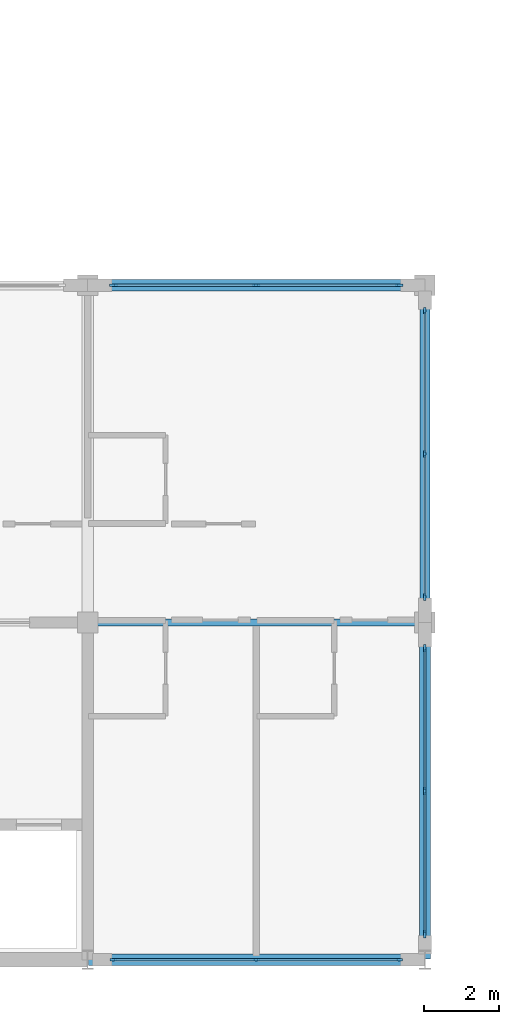
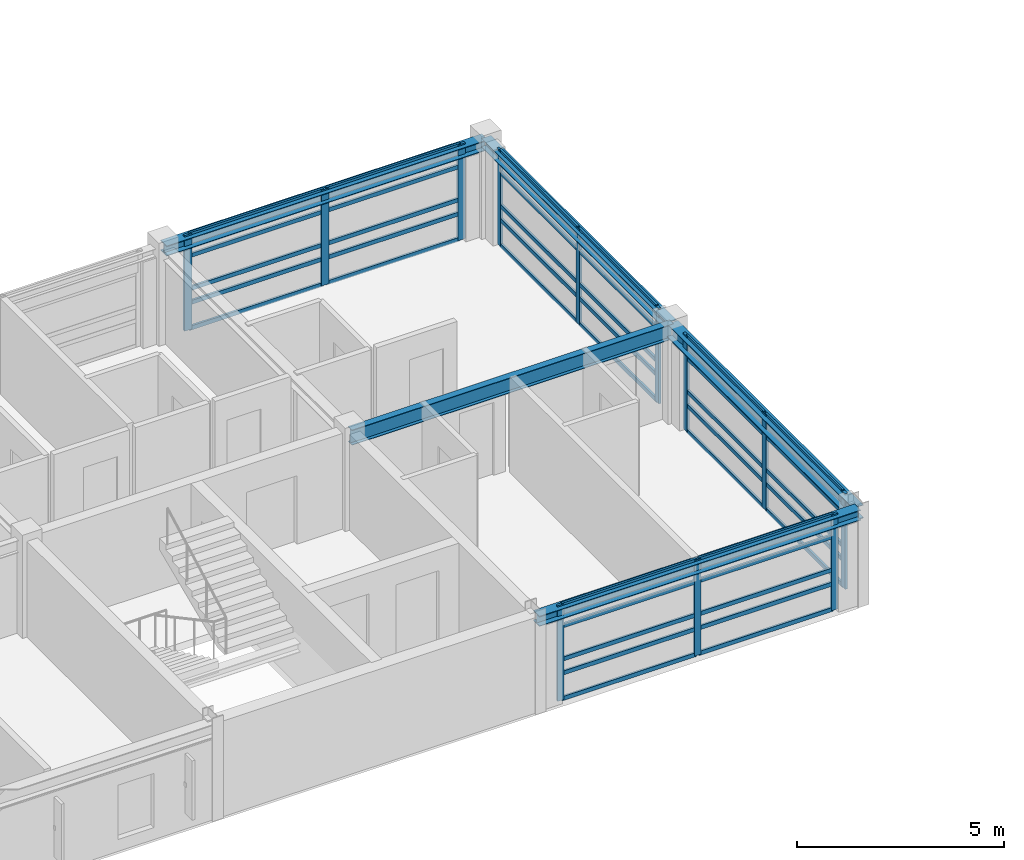
# One storey, part 9 of 30: 52 members, 5 beams, 4 elements without a shape of their own.
"""IFC4 building model written with IfcOpenShell, lengths in metres."""

import ifcopenshell
import ifcopenshell.guid

model = None  # the IFC model being written
_history = None  # IfcOwnerHistory: only IFC2X3 demands one
_inside = {}  # id of a spatial element -> (the spatial element, [elements in it])
_under = {}  # id of a project, library or spatial element -> (it, [spatial elements below it])
_declared = {}  # id of a project -> (the project, [libraries it declares])
_typed = {}  # id of a type object -> (the type object, [elements of that type])
_made_of = {}  # id of a material, layer set ... -> (it, [elements and type objects made of it])


def new_model(schema):
    """Start an empty IFC model of exactly this schema.

    Asked for "IFC4X3", IfcOpenShell would pick the latest addendum, in which some entities
    have other attributes; the version numbers below select the first issue.
    IFC2X3 requires an IfcOwnerHistory on every rooted entity: one is made here for all.
    """
    global model, _history
    if schema == "IFC4X3":
        model = ifcopenshell.file(schema_version=(4, 3, 0, 0))
    else:
        model = ifcopenshell.file(schema=schema)
    _inside.clear()
    _under.clear()
    _declared.clear()
    _typed.clear()
    _made_of.clear()
    _history = None
    if model.schema == "IFC2X3":
        org = make("IfcOrganization", Name="unknown")
        user = make(
            "IfcPersonAndOrganization",
            ThePerson=make("IfcPerson", FamilyName="unknown"),
            TheOrganization=org,
        )
        app = make(
            "IfcApplication",
            ApplicationDeveloper=org,
            Version="unknown",
            ApplicationFullName="unknown",
            ApplicationIdentifier="unknown",
        )
        _history = make(
            "IfcOwnerHistory",
            OwningUser=user,
            OwningApplication=app,
            ChangeAction="ADDED",
            CreationDate=0,
        )
    return model


def make(cls, **values):
    """One entity of the class cls with the attributes given. An attribute that is None is left unset."""
    return model.create_entity(
        cls, **{name: value for name, value in values.items() if value is not None}
    )


def rooted(cls, **values):
    """An entity with a GlobalId (a new one), such as an element, a storey or a relation."""
    return make(cls, GlobalId=ifcopenshell.guid.new(), OwnerHistory=_history, **values)


def si_unit(unit_type, name, prefix=None):
    """IfcSIUnit, for example si_unit("LENGTHUNIT", "METRE", prefix="MILLI")."""
    return make("IfcSIUnit", UnitType=unit_type, Prefix=prefix, Name=name)


def assignment(units):
    """IfcUnitAssignment: the units of a project."""
    return None if units is None else make("IfcUnitAssignment", Units=units)


def point(xyz):
    """IfcCartesianPoint."""
    return None if xyz is None else make("IfcCartesianPoint", Coordinates=xyz)


def direction(xyz):
    """IfcDirection."""
    return None if xyz is None else make("IfcDirection", DirectionRatios=xyz)


def frame(location, z_axis=None, x_axis=None):
    """IfcAxis2Placement3D, a coordinate frame: its origin and axes. An axis left out is left unset."""
    return make(
        "IfcAxis2Placement3D",
        Location=point(location),
        Axis=direction(z_axis),
        RefDirection=direction(x_axis),
    )


def frame_2d(location, x_axis=None):
    """IfcAxis2Placement2D, a coordinate frame in the plane: its origin and x axis."""
    return make(
        "IfcAxis2Placement2D", Location=point(location), RefDirection=direction(x_axis)
    )


def origin():
    """The frame at (0, 0, 0) with its axes left unset."""
    return frame((0.0, 0.0, 0.0))


def origin_2d():
    """The frame at (0, 0) in the plane with its x axis left unset."""
    return frame_2d((0.0, 0.0))


def place(relative_to, where):
    """IfcLocalPlacement: puts the frame where relative to a parent placement (None: the world)."""
    return make(
        "IfcLocalPlacement", PlacementRelTo=relative_to, RelativePlacement=where
    )


def context(
    kind, dimensions, precision=None, world=None, true_north=None, identifier=None
):
    """IfcGeometricRepresentationContext, for example the 3D "Model" context."""
    return make(
        "IfcGeometricRepresentationContext",
        ContextIdentifier=identifier,
        ContextType=kind,
        CoordinateSpaceDimension=dimensions,
        Precision=precision,
        WorldCoordinateSystem=world,
        TrueNorth=true_north,
    )


def subcontext(parent, identifier, kind, view, scale=None):
    """IfcGeometricRepresentationSubContext, for example "Body" below "Model"."""
    return make(
        "IfcGeometricRepresentationSubContext",
        ContextIdentifier=identifier,
        ContextType=kind,
        ParentContext=parent,
        TargetScale=scale,
        TargetView=view,
    )


def project(units=None, contexts=None):
    """IfcProject with its units and contexts."""
    return rooted(
        "IfcProject",
        Name="project",
        RepresentationContexts=contexts,
        UnitsInContext=assignment(units),
    )


def spatial(cls, under=None, at=None, **own):
    """A site, building, storey or space (cls), placed at a placement, below another one or the project."""
    s = rooted(cls, ObjectPlacement=at, **own)
    if under is not None:
        _under.setdefault(under.id(), (under, []))[1].append(s)
    return s


def profile(cls, at=None, kind="AREA", **sizes):
    """A parametric profile (cls). Its sizes go by their IFC names, for example OverallWidth=200.0."""
    return make(cls, ProfileType=kind, Position=at, **sizes)


def rectangle(**sizes):
    """IfcRectangleProfileDef."""
    return profile("IfcRectangleProfileDef", **sizes)


def i_section(**sizes):
    """IfcIShapeProfileDef."""
    return profile("IfcIShapeProfileDef", **sizes)


def extrude(swept, where, along, depth):
    """IfcExtrudedAreaSolid: the profile swept, set in the frame where, extruded along a direction by depth."""
    return make(
        "IfcExtrudedAreaSolid",
        SweptArea=swept,
        Position=where,
        ExtrudedDirection=direction(along),
        Depth=depth,
    )


def shape(context_of_items, identifier, shape_type, items):
    """IfcShapeRepresentation: the items that make up one representation, for example the "Body"."""
    return make(
        "IfcShapeRepresentation",
        ContextOfItems=context_of_items,
        RepresentationIdentifier=identifier,
        RepresentationType=shape_type,
        Items=items,
    )


def material(Name=None, Category=None):
    """IfcMaterial."""
    return make("IfcMaterial", Name=Name, Category=Category)


def material_profile(
    of_material, cross_section, Name=None, Category=None, Priority=None
):
    """IfcMaterialProfile: a cross section and its material."""
    return make(
        "IfcMaterialProfile",
        Name=Name,
        Material=of_material,
        Profile=cross_section,
        Priority=Priority,
        Category=Category,
    )


def profile_set(profiles, Name=None, composite=None):
    """IfcMaterialProfileSet."""
    return make(
        "IfcMaterialProfileSet",
        Name=Name,
        MaterialProfiles=profiles,
        CompositeProfile=composite,
    )


def made_of(thing, what):
    """Note that an element or type object is made of a material, layer set ...; save() writes the relation."""
    if what is not None:
        _made_of.setdefault(what.id(), (what, []))[1].append(thing)
    return thing


def type_object(cls, material=None, **own):
    """A type object (cls), such as IfcWallType, which elements share."""
    return made_of(rooted(cls, **own), material)


def element(
    cls,
    number,
    at=None,
    inside=None,
    cuts=None,
    type_object=None,
    material=None,
    context=None,
    identifier="Body",
    shape_type=None,
    held_by="IfcProductDefinitionShape",
    body=None,
    shapes=None,
    **own,
):
    """One element of the class cls, such as IfcWall. Its Tag is "e" and its number.

    at: its placement. inside: the storey or other place that contains it. cuts: it is an
    opening in that element (IfcRelVoidsElement). A single representation is given by context,
    identifier, shape_type and body (its items); several are given by shapes. held_by: the class
    of the entity that holds the representations. save() writes the other relations.
    """
    e = rooted(cls, Tag="e%d" % number, ObjectPlacement=at, **own)
    if body is not None:
        shapes = [shape(context, identifier, shape_type, body)]
    if shapes is not None:
        e.Representation = make(held_by, Representations=shapes)
    if inside is not None:
        _inside.setdefault(inside.id(), (inside, []))[1].append(e)
    if cuts is not None:
        rooted(
            "IfcRelVoidsElement", RelatingBuildingElement=cuts, RelatedOpeningElement=e
        )
    if type_object is not None:
        _typed.setdefault(type_object.id(), (type_object, []))[1].append(e)
    return made_of(e, material)


def aggregate(whole, parts):
    """IfcRelAggregates: a whole, such as a stair, and the parts it consists of."""
    return rooted("IfcRelAggregates", RelatingObject=whole, RelatedObjects=parts)


def save(model, path):
    """Write the relations noted so far, then the file.

    IfcRelAggregates (storeys below a building ...), IfcRelContainedInSpatialStructure (elements
    in a storey), IfcRelDefinesByType, IfcRelAssociatesMaterial and IfcRelDeclares: one each for
    every whole, place, type object, material and project.
    """
    for whole, parts in _under.values():
        aggregate(whole, parts)
    for where, things in _inside.values():
        rooted(
            "IfcRelContainedInSpatialStructure",
            RelatedElements=things,
            RelatingStructure=where,
        )
    for kind, things in _typed.values():
        rooted("IfcRelDefinesByType", RelatedObjects=things, RelatingType=kind)
    for what, things in _made_of.values():
        rooted("IfcRelAssociatesMaterial", RelatedObjects=things, RelatingMaterial=what)
    for by, libraries in _declared.values():
        rooted("IfcRelDeclares", RelatingContext=by, RelatedDefinitions=libraries)
    model.write(path)


model = new_model("IFC4")

# Units and contexts
model_context = context("Model", 3, precision=1e-05, world=origin(), true_north=direction((0.0, 1.0)))
body_context = subcontext(model_context, "Body", "Model", "MODEL_VIEW")
ifc_project = project(units=[si_unit("LENGTHUNIT", "METRE"), si_unit("AREAUNIT", "SQUARE_METRE"), si_unit("VOLUMEUNIT", "CUBIC_METRE"), si_unit("PLANEANGLEUNIT", "RADIAN"), si_unit("MASSUNIT", "GRAM", prefix="KILO")], contexts=[model_context])

# Site, building, storey
site_placement = place(None, origin())
site = spatial("IfcSite", under=ifc_project, at=site_placement, CompositionType="ELEMENT")
building_placement = place(site_placement, origin())
building = spatial("IfcBuilding", under=site, at=building_placement, Name="Palais des Congres Ocreval", CompositionType="ELEMENT")
storey_placement = place(building_placement, frame((0.0, 0.0, 14.56005859375)))
storey = spatial("IfcBuildingStorey", under=building, at=storey_placement, Name="L04", CompositionType="ELEMENT", Elevation=14.56005859375)

# Beam
ifc_material_1 = material(Name="Steel S355", Category="steel")
ifc_material_profile_1 = material_profile(ifc_material_1, i_section(OverallWidth=0.18994140625, OverallDepth=0.449951171875, WebThickness=0.009521484375, FlangeThickness=0.0146484375, at=origin_2d()), Name="IPE 450")
ifc_profile_set_1 = profile_set([ifc_material_profile_1], Name="Steel S355")
beam_type_1 = type_object("IfcBeamType", Name="Composite Beam IPE 450 Steel S355", PredefinedType="BEAM", material=ifc_profile_set_1)
beam_1_placement = place(storey_placement, frame((63.02001953125, 9.0, 2.554931640625), z_axis=(1.0, 0.0, 0.0), x_axis=(0.0, 1.0, 0.0)))
element("IfcBeam", 1, at=beam_1_placement, inside=storey, type_object=beam_type_1, Name="Beam B03 L04", PredefinedType="BEAM", context=body_context, shape_type="SweptSolid", body=[
    extrude(i_section(OverallWidth=0.18994140625, OverallDepth=0.449951171875, WebThickness=0.009521484375, FlangeThickness=0.0146484375, at=origin_2d()), origin(), (0.0, 0.0, 1.0), 8.9599609375),
])

# Curtain wall, members
ifc_material_2 = material(Name="Anodized bronze aluminium and low-E glass", Category="glass")
curtain_wall_type = type_object("IfcCurtainWallType", Name="Unitised Curtain Wall 7900x2820", PredefinedType="USERDEFINED", material=ifc_material_2)
curtain_wall_1_placement = place(storey_placement, origin())
curtain_wall_1 = element("IfcCurtainWall", 2, at=curtain_wall_1_placement, inside=storey, type_object=curtain_wall_type, Name="Unitised Curtain Wall CW04 L04", ObjectType="UNITISED CURTAIN WALL", PredefinedType="USERDEFINED")
ifc_material_3 = material(Name="Anodized bronze aluminium", Category="aluminium")
ifc_material_profile_2 = material_profile(ifc_material_3, rectangle(XDim=0.06494140625, YDim=0.179931640625, at=origin_2d()), Name="ALU 65x180")
ifc_profile_set_2 = profile_set([ifc_material_profile_2], Name="Anodized bronze aluminium")
member_type_1 = type_object("IfcMemberType", Name="Curtain Wall Mullion ALU 65x180", PredefinedType="MULLION", material=ifc_profile_set_2)
member_1_placement = place(storey_placement, frame((72.0, 17.3173828125, 0.0), z_axis=(0.0, 0.0, 1.0), x_axis=(1.0, 0.0, 0.0)))
member_1 = element("IfcMember", 3, at=member_1_placement, type_object=member_type_1, Name="Curtain Wall Mullion ML03", PredefinedType="MULLION", context=body_context, shape_type="SweptSolid", body=[
    extrude(rectangle(XDim=0.06494140625, YDim=0.179931640625, at=origin_2d()), origin(), (0.0, 0.0, 1.0), 2.81982421875),
])
member_2_placement = place(storey_placement, frame((72.0, 13.5, 0.0), z_axis=(0.0, 0.0, 1.0), x_axis=(1.0, 0.0, 0.0)))
member_2 = element("IfcMember", 4, at=member_2_placement, type_object=member_type_1, Name="Curtain Wall Mullion ML03", PredefinedType="MULLION", context=body_context, shape_type="SweptSolid", body=[
    extrude(rectangle(XDim=0.06494140625, YDim=0.179931640625, at=origin_2d()), origin(), (0.0, 0.0, 1.0), 2.81982421875),
])
member_3_placement = place(storey_placement, frame((72.0, 9.6826171875, 0.0), z_axis=(0.0, 0.0, 1.0), x_axis=(1.0, 0.0, 0.0)))
member_3 = element("IfcMember", 5, at=member_3_placement, type_object=member_type_1, Name="Curtain Wall Mullion ML03", PredefinedType="MULLION", context=body_context, shape_type="SweptSolid", body=[
    extrude(rectangle(XDim=0.06494140625, YDim=0.179931640625, at=origin_2d()), origin(), (0.0, 0.0, 1.0), 2.81982421875),
])

curtain_wall_2_placement = place(storey_placement, origin())
curtain_wall_2 = element("IfcCurtainWall", 6, at=curtain_wall_2_placement, inside=storey, type_object=curtain_wall_type, Name="Unitised Curtain Wall CW04 L04", ObjectType="UNITISED CURTAIN WALL", PredefinedType="USERDEFINED")
member_4_placement = place(storey_placement, frame((71.3173828125, 0.0, 0.0), z_axis=(0.0, 0.0, 1.0), x_axis=(0.0, -1.0, 0.0)))
member_4 = element("IfcMember", 7, at=member_4_placement, type_object=member_type_1, Name="Curtain Wall Mullion ML03", PredefinedType="MULLION", context=body_context, shape_type="SweptSolid", body=[
    extrude(rectangle(XDim=0.06494140625, YDim=0.179931640625, at=origin_2d()), origin(), (0.0, 0.0, 1.0), 2.81982421875),
])
member_5_placement = place(storey_placement, frame((67.5, 0.0, 0.0), z_axis=(0.0, 0.0, 1.0), x_axis=(0.0, -1.0, 0.0)))
member_5 = element("IfcMember", 8, at=member_5_placement, type_object=member_type_1, Name="Curtain Wall Mullion ML03", PredefinedType="MULLION", context=body_context, shape_type="SweptSolid", body=[
    extrude(rectangle(XDim=0.06494140625, YDim=0.179931640625, at=origin_2d()), origin(), (0.0, 0.0, 1.0), 2.81982421875),
])
member_6_placement = place(storey_placement, frame((63.6826171875, 0.0, 0.0), z_axis=(0.0, 0.0, 1.0), x_axis=(0.0, -1.0, 0.0)))
member_6 = element("IfcMember", 9, at=member_6_placement, type_object=member_type_1, Name="Curtain Wall Mullion ML03", PredefinedType="MULLION", context=body_context, shape_type="SweptSolid", body=[
    extrude(rectangle(XDim=0.06494140625, YDim=0.179931640625, at=origin_2d()), origin(), (0.0, 0.0, 1.0), 2.81982421875),
])

curtain_wall_3_placement = place(storey_placement, origin())
curtain_wall_3 = element("IfcCurtainWall", 10, at=curtain_wall_3_placement, inside=storey, type_object=curtain_wall_type, Name="Unitised Curtain Wall CW04 L04", ObjectType="UNITISED CURTAIN WALL", PredefinedType="USERDEFINED")
ifc_material_profile_3 = material_profile(ifc_material_3, rectangle(XDim=0.070068359375, YDim=0.2099609375, at=origin_2d()), Name="ALU 70x210")
ifc_profile_set_3 = profile_set([ifc_material_profile_3], Name="Anodized bronze aluminium")
member_type_2 = type_object("IfcMemberType", Name="Curtain Wall Mullion ALU 70x210", PredefinedType="MULLION", material=ifc_profile_set_3)
member_7_placement = place(storey_placement, frame((72.0, 8.31494140625, 0.0), z_axis=(0.0, 0.0, 1.0), x_axis=(1.0, 0.0, 0.0)))
member_7 = element("IfcMember", 11, at=member_7_placement, type_object=member_type_2, Name="Curtain Wall Mullion ML02", PredefinedType="MULLION", context=body_context, shape_type="SweptSolid", body=[
    extrude(rectangle(XDim=0.070068359375, YDim=0.2099609375, at=origin_2d()), origin(), (0.0, 0.0, 1.0), 2.81982421875),
])
member_8_placement = place(storey_placement, frame((72.0, 4.5, 0.0), z_axis=(0.0, 0.0, 1.0), x_axis=(1.0, 0.0, 0.0)))
member_8 = element("IfcMember", 12, at=member_8_placement, type_object=member_type_2, Name="Curtain Wall Mullion ML02", PredefinedType="MULLION", context=body_context, shape_type="SweptSolid", body=[
    extrude(rectangle(XDim=0.070068359375, YDim=0.2099609375, at=origin_2d()), origin(), (0.0, 0.0, 1.0), 2.81982421875),
])
member_9_placement = place(storey_placement, frame((72.0, 0.68505859375, 0.0), z_axis=(0.0, 0.0, 1.0), x_axis=(1.0, 0.0, 0.0)))
member_9 = element("IfcMember", 13, at=member_9_placement, type_object=member_type_2, Name="Curtain Wall Mullion ML02", PredefinedType="MULLION", context=body_context, shape_type="SweptSolid", body=[
    extrude(rectangle(XDim=0.070068359375, YDim=0.2099609375, at=origin_2d()), origin(), (0.0, 0.0, 1.0), 2.81982421875),
])

curtain_wall_4_placement = place(storey_placement, origin())
curtain_wall_4 = element("IfcCurtainWall", 14, at=curtain_wall_4_placement, inside=storey, type_object=curtain_wall_type, Name="Unitised Curtain Wall CW04 L04", ObjectType="UNITISED CURTAIN WALL", PredefinedType="USERDEFINED")
member_10_placement = place(storey_placement, frame((63.68505859375, 18.0, 0.0), z_axis=(0.0, 0.0, 1.0), x_axis=(0.0, 1.0, 0.0)))
member_10 = element("IfcMember", 15, at=member_10_placement, type_object=member_type_2, Name="Curtain Wall Mullion ML02", PredefinedType="MULLION", context=body_context, shape_type="SweptSolid", body=[
    extrude(rectangle(XDim=0.070068359375, YDim=0.2099609375, at=origin_2d()), origin(), (0.0, 0.0, 1.0), 2.81982421875),
])
member_11_placement = place(storey_placement, frame((67.5, 18.0, 0.0), z_axis=(0.0, 0.0, 1.0), x_axis=(0.0, 1.0, 0.0)))
member_11 = element("IfcMember", 16, at=member_11_placement, type_object=member_type_2, Name="Curtain Wall Mullion ML02", PredefinedType="MULLION", context=body_context, shape_type="SweptSolid", body=[
    extrude(rectangle(XDim=0.070068359375, YDim=0.2099609375, at=origin_2d()), origin(), (0.0, 0.0, 1.0), 2.81982421875),
])
member_12_placement = place(storey_placement, frame((71.31494140625, 18.0, 0.0), z_axis=(0.0, 0.0, 1.0), x_axis=(0.0, 1.0, 0.0)))
member_12 = element("IfcMember", 17, at=member_12_placement, type_object=member_type_2, Name="Curtain Wall Mullion ML02", PredefinedType="MULLION", context=body_context, shape_type="SweptSolid", body=[
    extrude(rectangle(XDim=0.070068359375, YDim=0.2099609375, at=origin_2d()), origin(), (0.0, 0.0, 1.0), 2.81982421875),
])

# Member
ifc_material_profile_4 = material_profile(ifc_material_3, rectangle(XDim=0.06005859375, YDim=0.1201171875, at=origin_2d()), Name="ALU 60x120")
ifc_profile_set_4 = profile_set([ifc_material_profile_4], Name="Anodized bronze aluminium")
member_type_3 = type_object("IfcMemberType", Name="Curtain Wall Transom ALU 60x120", PredefinedType="USERDEFINED", material=ifc_profile_set_4)
member_13_placement = place(storey_placement, frame((72.0, 17.284912109375, 0.030029296875), z_axis=(0.0, -1.0, 0.0), x_axis=(1.0, 0.0, 0.0)))
member_13 = element("IfcMember", 18, at=member_13_placement, type_object=member_type_3, Name="Curtain Wall Transom TR02", ObjectType="TRANSOM", PredefinedType="USERDEFINED", context=body_context, shape_type="SweptSolid", body=[
    extrude(rectangle(XDim=0.06005859375, YDim=0.1201171875, at=origin_2d()), origin(), (0.0, 0.0, 1.0), 3.75244140625),
])

member_14_placement = place(storey_placement, frame((72.0, 17.284912109375, 0.780029296875), z_axis=(0.0, -1.0, 0.0), x_axis=(1.0, 0.0, 0.0)))
member_14 = element("IfcMember", 19, at=member_14_placement, type_object=member_type_3, Name="Curtain Wall Transom TR02", ObjectType="TRANSOM", PredefinedType="USERDEFINED", context=body_context, shape_type="SweptSolid", body=[
    extrude(rectangle(XDim=0.06005859375, YDim=0.1201171875, at=origin_2d()), origin(), (0.0, 0.0, 1.0), 3.75244140625),
])

member_15_placement = place(storey_placement, frame((72.0, 17.284912109375, 1.193359375), z_axis=(0.0, -1.0, 0.0), x_axis=(1.0, 0.0, 0.0)))
member_15 = element("IfcMember", 20, at=member_15_placement, type_object=member_type_3, Name="Curtain Wall Transom TR02", ObjectType="TRANSOM", PredefinedType="USERDEFINED", context=body_context, shape_type="SweptSolid", body=[
    extrude(rectangle(XDim=0.06005859375, YDim=0.1201171875, at=origin_2d()), origin(), (0.0, 0.0, 1.0), 3.75244140625),
])

member_16_placement = place(storey_placement, frame((72.0, 17.284912109375, 2.169921875), z_axis=(0.0, -1.0, 0.0), x_axis=(1.0, 0.0, 0.0)))
member_16 = element("IfcMember", 21, at=member_16_placement, type_object=member_type_3, Name="Curtain Wall Transom TR02", ObjectType="TRANSOM", PredefinedType="USERDEFINED", context=body_context, shape_type="SweptSolid", body=[
    extrude(rectangle(XDim=0.06005859375, YDim=0.1201171875, at=origin_2d()), origin(), (0.0, 0.0, 1.0), 3.75244140625),
])

member_17_placement = place(storey_placement, frame((72.0, 17.284912109375, 2.7900390625), z_axis=(0.0, -1.0, 0.0), x_axis=(1.0, 0.0, 0.0)))
member_17 = element("IfcMember", 22, at=member_17_placement, type_object=member_type_3, Name="Curtain Wall Transom TR02", ObjectType="TRANSOM", PredefinedType="USERDEFINED", context=body_context, shape_type="SweptSolid", body=[
    extrude(rectangle(XDim=0.06005859375, YDim=0.1201171875, at=origin_2d()), origin(), (0.0, 0.0, 1.0), 3.75244140625),
])

member_18_placement = place(storey_placement, frame((72.0, 13.467529296875, 0.030029296875), z_axis=(0.0, -1.0, 0.0), x_axis=(1.0, 0.0, 0.0)))
member_18 = element("IfcMember", 23, at=member_18_placement, type_object=member_type_3, Name="Curtain Wall Transom TR02", ObjectType="TRANSOM", PredefinedType="USERDEFINED", context=body_context, shape_type="SweptSolid", body=[
    extrude(rectangle(XDim=0.06005859375, YDim=0.1201171875, at=origin_2d()), origin(), (0.0, 0.0, 1.0), 3.75244140625),
])

member_19_placement = place(storey_placement, frame((72.0, 13.467529296875, 0.780029296875), z_axis=(0.0, -1.0, 0.0), x_axis=(1.0, 0.0, 0.0)))
member_19 = element("IfcMember", 24, at=member_19_placement, type_object=member_type_3, Name="Curtain Wall Transom TR02", ObjectType="TRANSOM", PredefinedType="USERDEFINED", context=body_context, shape_type="SweptSolid", body=[
    extrude(rectangle(XDim=0.06005859375, YDim=0.1201171875, at=origin_2d()), origin(), (0.0, 0.0, 1.0), 3.75244140625),
])

member_20_placement = place(storey_placement, frame((72.0, 13.467529296875, 1.193359375), z_axis=(0.0, -1.0, 0.0), x_axis=(1.0, 0.0, 0.0)))
member_20 = element("IfcMember", 25, at=member_20_placement, type_object=member_type_3, Name="Curtain Wall Transom TR02", ObjectType="TRANSOM", PredefinedType="USERDEFINED", context=body_context, shape_type="SweptSolid", body=[
    extrude(rectangle(XDim=0.06005859375, YDim=0.1201171875, at=origin_2d()), origin(), (0.0, 0.0, 1.0), 3.75244140625),
])

member_21_placement = place(storey_placement, frame((72.0, 13.467529296875, 2.169921875), z_axis=(0.0, -1.0, 0.0), x_axis=(1.0, 0.0, 0.0)))
member_21 = element("IfcMember", 26, at=member_21_placement, type_object=member_type_3, Name="Curtain Wall Transom TR02", ObjectType="TRANSOM", PredefinedType="USERDEFINED", context=body_context, shape_type="SweptSolid", body=[
    extrude(rectangle(XDim=0.06005859375, YDim=0.1201171875, at=origin_2d()), origin(), (0.0, 0.0, 1.0), 3.75244140625),
])

member_22_placement = place(storey_placement, frame((72.0, 13.467529296875, 2.7900390625), z_axis=(0.0, -1.0, 0.0), x_axis=(1.0, 0.0, 0.0)))
member_22 = element("IfcMember", 27, at=member_22_placement, type_object=member_type_3, Name="Curtain Wall Transom TR02", ObjectType="TRANSOM", PredefinedType="USERDEFINED", context=body_context, shape_type="SweptSolid", body=[
    extrude(rectangle(XDim=0.06005859375, YDim=0.1201171875, at=origin_2d()), origin(), (0.0, 0.0, 1.0), 3.75244140625),
])

aggregate(curtain_wall_1, [member_1, member_2, member_3, member_13, member_14, member_15, member_16, member_17, member_18, member_19, member_20, member_21, member_22])

member_23_placement = place(storey_placement, frame((72.0, 8.280029296875, 0.030029296875), z_axis=(0.0, -1.0, 0.0), x_axis=(1.0, 0.0, 0.0)))
member_23 = element("IfcMember", 28, at=member_23_placement, type_object=member_type_3, Name="Curtain Wall Transom TR02", ObjectType="TRANSOM", PredefinedType="USERDEFINED", context=body_context, shape_type="SweptSolid", body=[
    extrude(rectangle(XDim=0.06005859375, YDim=0.1201171875, at=origin_2d()), origin(), (0.0, 0.0, 1.0), 3.7451171875),
])

member_24_placement = place(storey_placement, frame((72.0, 8.280029296875, 0.780029296875), z_axis=(0.0, -1.0, 0.0), x_axis=(1.0, 0.0, 0.0)))
member_24 = element("IfcMember", 29, at=member_24_placement, type_object=member_type_3, Name="Curtain Wall Transom TR02", ObjectType="TRANSOM", PredefinedType="USERDEFINED", context=body_context, shape_type="SweptSolid", body=[
    extrude(rectangle(XDim=0.06005859375, YDim=0.1201171875, at=origin_2d()), origin(), (0.0, 0.0, 1.0), 3.7451171875),
])

member_25_placement = place(storey_placement, frame((72.0, 8.280029296875, 1.193359375), z_axis=(0.0, -1.0, 0.0), x_axis=(1.0, 0.0, 0.0)))
member_25 = element("IfcMember", 30, at=member_25_placement, type_object=member_type_3, Name="Curtain Wall Transom TR02", ObjectType="TRANSOM", PredefinedType="USERDEFINED", context=body_context, shape_type="SweptSolid", body=[
    extrude(rectangle(XDim=0.06005859375, YDim=0.1201171875, at=origin_2d()), origin(), (0.0, 0.0, 1.0), 3.7451171875),
])

member_26_placement = place(storey_placement, frame((72.0, 8.280029296875, 2.169921875), z_axis=(0.0, -1.0, 0.0), x_axis=(1.0, 0.0, 0.0)))
member_26 = element("IfcMember", 31, at=member_26_placement, type_object=member_type_3, Name="Curtain Wall Transom TR02", ObjectType="TRANSOM", PredefinedType="USERDEFINED", context=body_context, shape_type="SweptSolid", body=[
    extrude(rectangle(XDim=0.06005859375, YDim=0.1201171875, at=origin_2d()), origin(), (0.0, 0.0, 1.0), 3.7451171875),
])

member_27_placement = place(storey_placement, frame((72.0, 8.280029296875, 2.7900390625), z_axis=(0.0, -1.0, 0.0), x_axis=(1.0, 0.0, 0.0)))
member_27 = element("IfcMember", 32, at=member_27_placement, type_object=member_type_3, Name="Curtain Wall Transom TR02", ObjectType="TRANSOM", PredefinedType="USERDEFINED", context=body_context, shape_type="SweptSolid", body=[
    extrude(rectangle(XDim=0.06005859375, YDim=0.1201171875, at=origin_2d()), origin(), (0.0, 0.0, 1.0), 3.7451171875),
])

member_28_placement = place(storey_placement, frame((72.0, 4.465087890625, 0.030029296875), z_axis=(0.0, -1.0, 0.0), x_axis=(1.0, 0.0, 0.0)))
member_28 = element("IfcMember", 33, at=member_28_placement, type_object=member_type_3, Name="Curtain Wall Transom TR02", ObjectType="TRANSOM", PredefinedType="USERDEFINED", context=body_context, shape_type="SweptSolid", body=[
    extrude(rectangle(XDim=0.06005859375, YDim=0.1201171875, at=origin_2d()), origin(), (0.0, 0.0, 1.0), 3.7451171875),
])

member_29_placement = place(storey_placement, frame((72.0, 4.465087890625, 0.780029296875), z_axis=(0.0, -1.0, 0.0), x_axis=(1.0, 0.0, 0.0)))
member_29 = element("IfcMember", 34, at=member_29_placement, type_object=member_type_3, Name="Curtain Wall Transom TR02", ObjectType="TRANSOM", PredefinedType="USERDEFINED", context=body_context, shape_type="SweptSolid", body=[
    extrude(rectangle(XDim=0.06005859375, YDim=0.1201171875, at=origin_2d()), origin(), (0.0, 0.0, 1.0), 3.7451171875),
])

member_30_placement = place(storey_placement, frame((72.0, 4.465087890625, 1.193359375), z_axis=(0.0, -1.0, 0.0), x_axis=(1.0, 0.0, 0.0)))
member_30 = element("IfcMember", 35, at=member_30_placement, type_object=member_type_3, Name="Curtain Wall Transom TR02", ObjectType="TRANSOM", PredefinedType="USERDEFINED", context=body_context, shape_type="SweptSolid", body=[
    extrude(rectangle(XDim=0.06005859375, YDim=0.1201171875, at=origin_2d()), origin(), (0.0, 0.0, 1.0), 3.7451171875),
])

member_31_placement = place(storey_placement, frame((72.0, 4.465087890625, 2.169921875), z_axis=(0.0, -1.0, 0.0), x_axis=(1.0, 0.0, 0.0)))
member_31 = element("IfcMember", 36, at=member_31_placement, type_object=member_type_3, Name="Curtain Wall Transom TR02", ObjectType="TRANSOM", PredefinedType="USERDEFINED", context=body_context, shape_type="SweptSolid", body=[
    extrude(rectangle(XDim=0.06005859375, YDim=0.1201171875, at=origin_2d()), origin(), (0.0, 0.0, 1.0), 3.7451171875),
])

member_32_placement = place(storey_placement, frame((72.0, 4.465087890625, 2.7900390625), z_axis=(0.0, -1.0, 0.0), x_axis=(1.0, 0.0, 0.0)))
member_32 = element("IfcMember", 37, at=member_32_placement, type_object=member_type_3, Name="Curtain Wall Transom TR02", ObjectType="TRANSOM", PredefinedType="USERDEFINED", context=body_context, shape_type="SweptSolid", body=[
    extrude(rectangle(XDim=0.06005859375, YDim=0.1201171875, at=origin_2d()), origin(), (0.0, 0.0, 1.0), 3.7451171875),
])

aggregate(curtain_wall_3, [member_7, member_8, member_9, member_23, member_24, member_25, member_26, member_27, member_28, member_29, member_30, member_31, member_32])

member_33_placement = place(storey_placement, frame((71.284912109375, 0.0, 0.030029296875), z_axis=(-1.0, 0.0, 0.0), x_axis=(0.0, -1.0, 0.0)))
member_33 = element("IfcMember", 38, at=member_33_placement, type_object=member_type_3, Name="Curtain Wall Transom TR02", ObjectType="TRANSOM", PredefinedType="USERDEFINED", context=body_context, shape_type="SweptSolid", body=[
    extrude(rectangle(XDim=0.06005859375, YDim=0.1201171875, at=origin_2d()), origin(), (0.0, 0.0, 1.0), 3.75244140625),
])

member_34_placement = place(storey_placement, frame((71.284912109375, 0.0, 0.780029296875), z_axis=(-1.0, 0.0, 0.0), x_axis=(0.0, -1.0, 0.0)))
member_34 = element("IfcMember", 39, at=member_34_placement, type_object=member_type_3, Name="Curtain Wall Transom TR02", ObjectType="TRANSOM", PredefinedType="USERDEFINED", context=body_context, shape_type="SweptSolid", body=[
    extrude(rectangle(XDim=0.06005859375, YDim=0.1201171875, at=origin_2d()), origin(), (0.0, 0.0, 1.0), 3.75244140625),
])

member_35_placement = place(storey_placement, frame((71.284912109375, 0.0, 1.193359375), z_axis=(-1.0, 0.0, 0.0), x_axis=(0.0, -1.0, 0.0)))
member_35 = element("IfcMember", 40, at=member_35_placement, type_object=member_type_3, Name="Curtain Wall Transom TR02", ObjectType="TRANSOM", PredefinedType="USERDEFINED", context=body_context, shape_type="SweptSolid", body=[
    extrude(rectangle(XDim=0.06005859375, YDim=0.1201171875, at=origin_2d()), origin(), (0.0, 0.0, 1.0), 3.75244140625),
])

member_36_placement = place(storey_placement, frame((71.284912109375, 0.0, 2.169921875), z_axis=(-1.0, 0.0, 0.0), x_axis=(0.0, -1.0, 0.0)))
member_36 = element("IfcMember", 41, at=member_36_placement, type_object=member_type_3, Name="Curtain Wall Transom TR02", ObjectType="TRANSOM", PredefinedType="USERDEFINED", context=body_context, shape_type="SweptSolid", body=[
    extrude(rectangle(XDim=0.06005859375, YDim=0.1201171875, at=origin_2d()), origin(), (0.0, 0.0, 1.0), 3.75244140625),
])

member_37_placement = place(storey_placement, frame((71.284912109375, 0.0, 2.7900390625), z_axis=(-1.0, 0.0, 0.0), x_axis=(0.0, -1.0, 0.0)))
member_37 = element("IfcMember", 42, at=member_37_placement, type_object=member_type_3, Name="Curtain Wall Transom TR02", ObjectType="TRANSOM", PredefinedType="USERDEFINED", context=body_context, shape_type="SweptSolid", body=[
    extrude(rectangle(XDim=0.06005859375, YDim=0.1201171875, at=origin_2d()), origin(), (0.0, 0.0, 1.0), 3.75244140625),
])

member_38_placement = place(storey_placement, frame((67.467529296875, 0.0, 0.030029296875), z_axis=(-1.0, 0.0, 0.0), x_axis=(0.0, -1.0, 0.0)))
member_38 = element("IfcMember", 43, at=member_38_placement, type_object=member_type_3, Name="Curtain Wall Transom TR02", ObjectType="TRANSOM", PredefinedType="USERDEFINED", context=body_context, shape_type="SweptSolid", body=[
    extrude(rectangle(XDim=0.06005859375, YDim=0.1201171875, at=origin_2d()), origin(), (0.0, 0.0, 1.0), 3.75244140625),
])

member_39_placement = place(storey_placement, frame((67.467529296875, 0.0, 0.780029296875), z_axis=(-1.0, 0.0, 0.0), x_axis=(0.0, -1.0, 0.0)))
member_39 = element("IfcMember", 44, at=member_39_placement, type_object=member_type_3, Name="Curtain Wall Transom TR02", ObjectType="TRANSOM", PredefinedType="USERDEFINED", context=body_context, shape_type="SweptSolid", body=[
    extrude(rectangle(XDim=0.06005859375, YDim=0.1201171875, at=origin_2d()), origin(), (0.0, 0.0, 1.0), 3.75244140625),
])

member_40_placement = place(storey_placement, frame((67.467529296875, 0.0, 1.193359375), z_axis=(-1.0, 0.0, 0.0), x_axis=(0.0, -1.0, 0.0)))
member_40 = element("IfcMember", 45, at=member_40_placement, type_object=member_type_3, Name="Curtain Wall Transom TR02", ObjectType="TRANSOM", PredefinedType="USERDEFINED", context=body_context, shape_type="SweptSolid", body=[
    extrude(rectangle(XDim=0.06005859375, YDim=0.1201171875, at=origin_2d()), origin(), (0.0, 0.0, 1.0), 3.75244140625),
])

member_41_placement = place(storey_placement, frame((67.467529296875, 0.0, 2.169921875), z_axis=(-1.0, 0.0, 0.0), x_axis=(0.0, -1.0, 0.0)))
member_41 = element("IfcMember", 46, at=member_41_placement, type_object=member_type_3, Name="Curtain Wall Transom TR02", ObjectType="TRANSOM", PredefinedType="USERDEFINED", context=body_context, shape_type="SweptSolid", body=[
    extrude(rectangle(XDim=0.06005859375, YDim=0.1201171875, at=origin_2d()), origin(), (0.0, 0.0, 1.0), 3.75244140625),
])

member_42_placement = place(storey_placement, frame((67.467529296875, 0.0, 2.7900390625), z_axis=(-1.0, 0.0, 0.0), x_axis=(0.0, -1.0, 0.0)))
member_42 = element("IfcMember", 47, at=member_42_placement, type_object=member_type_3, Name="Curtain Wall Transom TR02", ObjectType="TRANSOM", PredefinedType="USERDEFINED", context=body_context, shape_type="SweptSolid", body=[
    extrude(rectangle(XDim=0.06005859375, YDim=0.1201171875, at=origin_2d()), origin(), (0.0, 0.0, 1.0), 3.75244140625),
])

aggregate(curtain_wall_2, [member_4, member_5, member_6, member_33, member_34, member_35, member_36, member_37, member_38, member_39, member_40, member_41, member_42])

member_43_placement = place(storey_placement, frame((63.719970703125, 18.0, 0.030029296875), z_axis=(1.0, 0.0, 0.0), x_axis=(0.0, 1.0, 0.0)))
member_43 = element("IfcMember", 48, at=member_43_placement, type_object=member_type_3, Name="Curtain Wall Transom TR02", ObjectType="TRANSOM", PredefinedType="USERDEFINED", context=body_context, shape_type="SweptSolid", body=[
    extrude(rectangle(XDim=0.06005859375, YDim=0.1201171875, at=origin_2d()), origin(), (0.0, 0.0, 1.0), 3.7451171875),
])

member_44_placement = place(storey_placement, frame((63.719970703125, 18.0, 0.780029296875), z_axis=(1.0, 0.0, 0.0), x_axis=(0.0, 1.0, 0.0)))
member_44 = element("IfcMember", 49, at=member_44_placement, type_object=member_type_3, Name="Curtain Wall Transom TR02", ObjectType="TRANSOM", PredefinedType="USERDEFINED", context=body_context, shape_type="SweptSolid", body=[
    extrude(rectangle(XDim=0.06005859375, YDim=0.1201171875, at=origin_2d()), origin(), (0.0, 0.0, 1.0), 3.7451171875),
])

member_45_placement = place(storey_placement, frame((63.719970703125, 18.0, 1.193359375), z_axis=(1.0, 0.0, 0.0), x_axis=(0.0, 1.0, 0.0)))
member_45 = element("IfcMember", 50, at=member_45_placement, type_object=member_type_3, Name="Curtain Wall Transom TR02", ObjectType="TRANSOM", PredefinedType="USERDEFINED", context=body_context, shape_type="SweptSolid", body=[
    extrude(rectangle(XDim=0.06005859375, YDim=0.1201171875, at=origin_2d()), origin(), (0.0, 0.0, 1.0), 3.7451171875),
])

member_46_placement = place(storey_placement, frame((63.719970703125, 18.0, 2.169921875), z_axis=(1.0, 0.0, 0.0), x_axis=(0.0, 1.0, 0.0)))
member_46 = element("IfcMember", 51, at=member_46_placement, type_object=member_type_3, Name="Curtain Wall Transom TR02", ObjectType="TRANSOM", PredefinedType="USERDEFINED", context=body_context, shape_type="SweptSolid", body=[
    extrude(rectangle(XDim=0.06005859375, YDim=0.1201171875, at=origin_2d()), origin(), (0.0, 0.0, 1.0), 3.7451171875),
])

member_47_placement = place(storey_placement, frame((63.719970703125, 18.0, 2.7900390625), z_axis=(1.0, 0.0, 0.0), x_axis=(0.0, 1.0, 0.0)))
member_47 = element("IfcMember", 52, at=member_47_placement, type_object=member_type_3, Name="Curtain Wall Transom TR02", ObjectType="TRANSOM", PredefinedType="USERDEFINED", context=body_context, shape_type="SweptSolid", body=[
    extrude(rectangle(XDim=0.06005859375, YDim=0.1201171875, at=origin_2d()), origin(), (0.0, 0.0, 1.0), 3.7451171875),
])

member_48_placement = place(storey_placement, frame((67.534912109375, 18.0, 0.030029296875), z_axis=(1.0, 0.0, 0.0), x_axis=(0.0, 1.0, 0.0)))
member_48 = element("IfcMember", 53, at=member_48_placement, type_object=member_type_3, Name="Curtain Wall Transom TR02", ObjectType="TRANSOM", PredefinedType="USERDEFINED", context=body_context, shape_type="SweptSolid", body=[
    extrude(rectangle(XDim=0.06005859375, YDim=0.1201171875, at=origin_2d()), origin(), (0.0, 0.0, 1.0), 3.7451171875),
])

member_49_placement = place(storey_placement, frame((67.534912109375, 18.0, 0.780029296875), z_axis=(1.0, 0.0, 0.0), x_axis=(0.0, 1.0, 0.0)))
member_49 = element("IfcMember", 54, at=member_49_placement, type_object=member_type_3, Name="Curtain Wall Transom TR02", ObjectType="TRANSOM", PredefinedType="USERDEFINED", context=body_context, shape_type="SweptSolid", body=[
    extrude(rectangle(XDim=0.06005859375, YDim=0.1201171875, at=origin_2d()), origin(), (0.0, 0.0, 1.0), 3.7451171875),
])

member_50_placement = place(storey_placement, frame((67.534912109375, 18.0, 1.193359375), z_axis=(1.0, 0.0, 0.0), x_axis=(0.0, 1.0, 0.0)))
member_50 = element("IfcMember", 55, at=member_50_placement, type_object=member_type_3, Name="Curtain Wall Transom TR02", ObjectType="TRANSOM", PredefinedType="USERDEFINED", context=body_context, shape_type="SweptSolid", body=[
    extrude(rectangle(XDim=0.06005859375, YDim=0.1201171875, at=origin_2d()), origin(), (0.0, 0.0, 1.0), 3.7451171875),
])

member_51_placement = place(storey_placement, frame((67.534912109375, 18.0, 2.169921875), z_axis=(1.0, 0.0, 0.0), x_axis=(0.0, 1.0, 0.0)))
member_51 = element("IfcMember", 56, at=member_51_placement, type_object=member_type_3, Name="Curtain Wall Transom TR02", ObjectType="TRANSOM", PredefinedType="USERDEFINED", context=body_context, shape_type="SweptSolid", body=[
    extrude(rectangle(XDim=0.06005859375, YDim=0.1201171875, at=origin_2d()), origin(), (0.0, 0.0, 1.0), 3.7451171875),
])

member_52_placement = place(storey_placement, frame((67.534912109375, 18.0, 2.7900390625), z_axis=(1.0, 0.0, 0.0), x_axis=(0.0, 1.0, 0.0)))
member_52 = element("IfcMember", 57, at=member_52_placement, type_object=member_type_3, Name="Curtain Wall Transom TR02", ObjectType="TRANSOM", PredefinedType="USERDEFINED", context=body_context, shape_type="SweptSolid", body=[
    extrude(rectangle(XDim=0.06005859375, YDim=0.1201171875, at=origin_2d()), origin(), (0.0, 0.0, 1.0), 3.7451171875),
])

aggregate(curtain_wall_4, [member_10, member_11, member_12, member_43, member_44, member_45, member_46, member_47, member_48, member_49, member_50, member_51, member_52])

# Beams
ifc_material_profile_5 = material_profile(ifc_material_1, i_section(OverallWidth=0.260009765625, OverallDepth=0.260009765625, WebThickness=0.010009765625, FlangeThickness=0.017578125, at=origin_2d()), Name="HEB 260")
ifc_profile_set_5 = profile_set([ifc_material_profile_5], Name="Steel S355")
beam_type_2 = type_object("IfcBeamType", Name="Opening Lintel HEB 260 Steel S355", PredefinedType="LINTEL", material=ifc_profile_set_5)
beam_2_placement = place(storey_placement, frame((72.0, 9.02001953125, 2.64990234375), z_axis=(0.0, 1.0, 0.0), x_axis=(-1.0, 0.0, 0.0)))
element("IfcBeam", 58, at=beam_2_placement, inside=storey, type_object=beam_type_2, Name="Girder LN01 L04", PredefinedType="LINTEL", context=body_context, shape_type="SweptSolid", body=[
    extrude(i_section(OverallWidth=0.260009765625, OverallDepth=0.260009765625, WebThickness=0.010009765625, FlangeThickness=0.017578125, at=origin_2d()), origin(), (0.0, 0.0, 1.0), 8.9599609375),
])
ifc_material_profile_6 = material_profile(ifc_material_1, i_section(OverallWidth=0.300048828125, OverallDepth=0.300048828125, WebThickness=0.010986328125, FlangeThickness=0.01904296875, at=origin_2d()), Name="HEB 300")
ifc_profile_set_6 = profile_set([ifc_material_profile_6], Name="Steel S355")
beam_type_3 = type_object("IfcBeamType", Name="Perimeter Spandrel HEB 300 Steel S355", PredefinedType="SPANDREL", material=ifc_profile_set_6)
for number, where, z_axis, x_axis, name in (
    (59, (63.02001953125, 0.0, 2.6298828125), (1.0, 0.0, 0.0), (0.0, 1.0, 0.0), "Beam SP02 L04"),
    (60, (63.02001953125, 18.0, 2.6298828125), (1.0, 0.0, 0.0), (0.0, 1.0, 0.0), "Beam SP02 L04"),
):
    element("IfcBeam", number, at=place(storey_placement, frame(where, z_axis=z_axis, x_axis=x_axis)), inside=storey, type_object=beam_type_3, Name=name, PredefinedType="SPANDREL", context=body_context, shape_type="SweptSolid", body=[
        extrude(i_section(OverallWidth=0.300048828125, OverallDepth=0.300048828125, WebThickness=0.010986328125, FlangeThickness=0.01904296875, at=origin_2d()), origin(), (0.0, 0.0, 1.0), 8.9599609375),
    ])
ifc_material_profile_7 = material_profile(ifc_material_1, i_section(OverallWidth=0.300048828125, OverallDepth=0.39990234375, WebThickness=0.013427734375, FlangeThickness=0.02392578125, at=origin_2d()), Name="HEB 400")
ifc_profile_set_7 = profile_set([ifc_material_profile_7], Name="Steel S355")
beam_type_4 = type_object("IfcBeamType", Name="Perimeter Spandrel HEB 400 Steel S355", PredefinedType="SPANDREL", material=ifc_profile_set_7)
beam_3_placement = place(storey_placement, frame((72.0, 0.02001953125, 2.579833984375), z_axis=(0.0, 1.0, 0.0), x_axis=(-1.0, 0.0, 0.0)))
element("IfcBeam", 61, at=beam_3_placement, inside=storey, type_object=beam_type_4, Name="Girder SP04 L04", PredefinedType="SPANDREL", context=body_context, shape_type="SweptSolid", body=[
    extrude(i_section(OverallWidth=0.300048828125, OverallDepth=0.39990234375, WebThickness=0.013427734375, FlangeThickness=0.02392578125, at=origin_2d()), origin(), (0.0, 0.0, 1.0), 8.9599609375),
])

save(model, "model.ifc")
